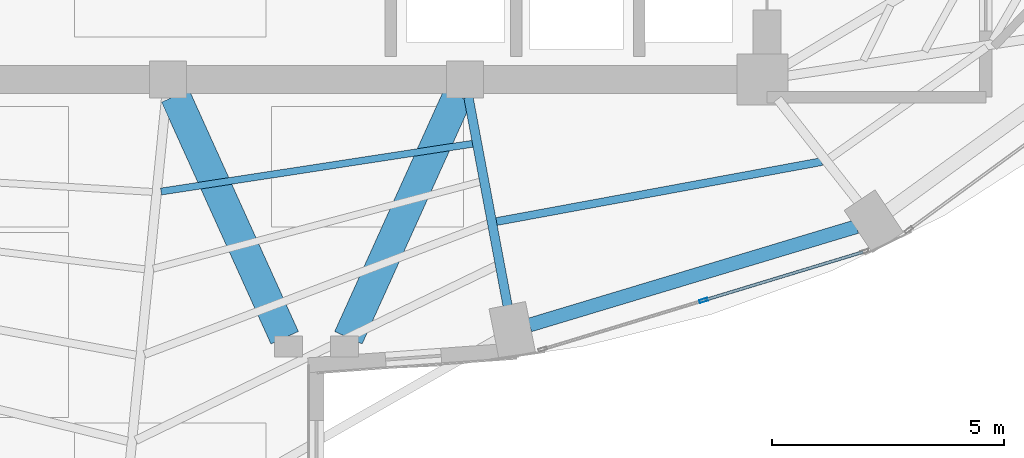
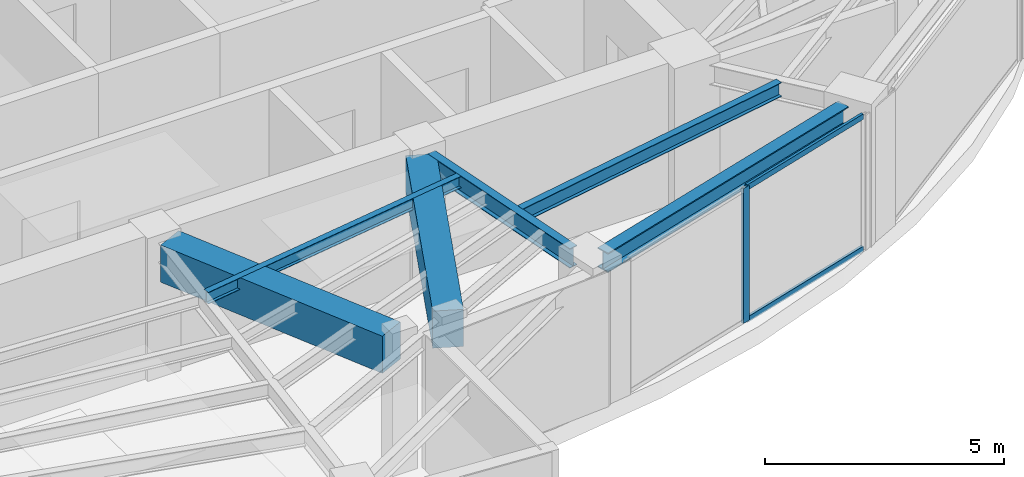
# One storey, part 7 of 23: 6 beams, 3 members, 1 element without a shape of its own.
"""IFC4 building model written with IfcOpenShell, lengths in metres."""

from ifc_helpers import new_model, si_unit, direction, frame, origin, origin_2d, place, context, subcontext, project, spatial, rectangle, hollow_rectangle, i_section, extrude, material, layer, layer_set, material_profile, profile_set, type_object, element, aggregate, save


model = new_model("IFC4")

# Units and contexts
model_context = context("Model", 3, precision=1e-05, world=origin(), true_north=direction((0.0, 1.0)))
body_context = subcontext(model_context, "Body", "Model", "MODEL_VIEW")
ifc_project = project(units=[si_unit("LENGTHUNIT", "METRE"), si_unit("AREAUNIT", "SQUARE_METRE"), si_unit("VOLUMEUNIT", "CUBIC_METRE"), si_unit("PLANEANGLEUNIT", "RADIAN"), si_unit("MASSUNIT", "GRAM", prefix="KILO")], contexts=[model_context])

# Site, building, storey
site_placement = place(None, origin())
site = spatial("IfcSite", under=ifc_project, at=site_placement, CompositionType="ELEMENT")
building_placement = place(site_placement, origin())
building = spatial("IfcBuilding", under=site, at=building_placement, Name="Lazwardi Medical Tower", CompositionType="ELEMENT")
storey_placement = place(building_placement, frame((0.0, 0.0, 194.83203125)))
storey = spatial("IfcBuildingStorey", under=building, at=storey_placement, Name="L50", CompositionType="ELEMENT", Elevation=194.83203125)

# Beams
ifc_material_1 = material(Name="Concrete C60/75", Category="concrete")
ifc_material_profile_1 = material_profile(ifc_material_1, rectangle(XDim=0.64990234375, YDim=0.949951171875, at=origin_2d()), Name="RC 650x950")
ifc_profile_set_1 = profile_set([ifc_material_profile_1], Name="Concrete C60/75")
beam_type_1 = type_object("IfcBeamType", Name="BM-CB-RC2", PredefinedType="LINTEL", material=ifc_profile_set_1)
for number, where, z_axis, x_axis, name in (
    (1, (32.95849609375, 20.04931640625, 2.972900390625), (0.412019279944, -0.911175127489, 0.0), (0.911175127489, 0.412019279944, 0.0), "Core coupling lintel CB-02 PL3 L50"),
    (2, (39.04150390625, 20.04931640625, 2.972900390625), (-0.412019279944, -0.911175127489, 0.0), (0.911175127489, -0.412019279944, 0.0), "Core coupling lintel CB-02 PL4 L50"),
):
    element("IfcBeam", number, at=place(storey_placement, frame(where, z_axis=z_axis, x_axis=x_axis)), inside=storey, type_object=beam_type_1, Name=name, PredefinedType="LINTEL", context=body_context, shape_type="SweptSolid", body=[
        extrude(rectangle(XDim=0.64990234375, YDim=0.949951171875, at=origin_2d()), origin(), (0.0, 0.0, 1.0), 5.7158203125),
    ])
ifc_material_2 = material(Name="Steel S355", Category="steel")
ifc_material_profile_2 = material_profile(ifc_material_2, i_section(OverallWidth=0.300048828125, OverallDepth=0.5, WebThickness=0.014404296875, FlangeThickness=0.028076171875, at=origin_2d()), Name="HEB 500")
ifc_profile_set_2 = profile_set([ifc_material_profile_2], Name="Steel S355")
beam_type_2 = type_object("IfcBeamType", Name="BM-RB-Z4", PredefinedType="BEAM", material=ifc_profile_set_2)
beam_1_placement = place(storey_placement, frame((40.58740234375, 15.114013671875, 3.197998046875), z_axis=(0.957544311906, 0.288286126506, 0.0), x_axis=(-0.288286126506, 0.957544311906, 0.0)))
element("IfcBeam", 3, at=beam_1_placement, inside=storey, type_object=beam_type_2, Name="Ring beam RB-05 B01 L50", PredefinedType="BEAM", context=body_context, shape_type="SweptSolid", body=[
    extrude(i_section(OverallWidth=0.300048828125, OverallDepth=0.5, WebThickness=0.014404296875, FlangeThickness=0.028076171875, at=origin_2d()), origin(), (0.0, 0.0, 1.0), 7.3515625),
])
ifc_material_profile_3 = material_profile(ifc_material_2, i_section(OverallWidth=0.199951171875, OverallDepth=0.5, WebThickness=0.01025390625, FlangeThickness=0.01611328125, at=origin_2d()), Name="IPE 500")
ifc_profile_set_3 = profile_set([ifc_material_profile_3], Name="Steel S355")
beam_type_3 = type_object("IfcBeamType", Name="BM-RG-W3", PredefinedType="BEAM", material=ifc_profile_set_3)
beam_2_placement = place(storey_placement, frame((40.115234375, 15.527587890625, 3.197998046875), z_axis=(-0.184633463507, 0.982807450192, 0.0), x_axis=(-0.982807450192, -0.184633463507, 0.0)))
element("IfcBeam", 4, at=beam_2_placement, inside=storey, type_object=beam_type_3, Name="Radial girder RG-04 R01 L50", PredefinedType="BEAM", context=body_context, shape_type="SweptSolid", body=[
    extrude(i_section(OverallWidth=0.199951171875, OverallDepth=0.5, WebThickness=0.01025390625, FlangeThickness=0.01611328125, at=origin_2d()), origin(), (0.0, 0.0, 1.0), 4.572509765625),
])
ifc_material_profile_4 = material_profile(ifc_material_2, i_section(OverallWidth=0.169921875, OverallDepth=0.360107421875, WebThickness=0.008056640625, FlangeThickness=0.0126953125, at=origin_2d()), Name="IPE 360")
ifc_profile_set_4 = profile_set([ifc_material_profile_4], Name="Steel S355")
beam_type_4 = type_object("IfcBeamType", Name="BM-SJ-02", PredefinedType="JOIST", material=ifc_profile_set_4)
beam_3_placement = place(storey_placement, frame((39.87109375, 17.34228515625, 3.26806640625), z_axis=(0.983427965623, 0.181299300688, 0.0), x_axis=(-0.181299300688, 0.983427965623, 0.0)))
element("IfcBeam", 5, at=beam_3_placement, inside=storey, type_object=beam_type_4, Name="Secondary joist SJ-02 R2 B01 L50", PredefinedType="JOIST", context=body_context, shape_type="SweptSolid", body=[
    extrude(i_section(OverallWidth=0.169921875, OverallDepth=0.360107421875, WebThickness=0.008056640625, FlangeThickness=0.0126953125, at=origin_2d()), origin(), (0.0, 0.0, 1.0), 7.127685546875),
])
ifc_material_profile_5 = material_profile(ifc_material_2, i_section(OverallWidth=0.14990234375, OverallDepth=0.300048828125, WebThickness=0.007080078125, FlangeThickness=0.0107421875, at=origin_2d()), Name="IPE 300")
ifc_profile_set_5 = profile_set([ifc_material_profile_5], Name="Steel S355")
beam_type_5 = type_object("IfcBeamType", Name="BM-SJ-03", PredefinedType="JOIST", material=ifc_profile_set_5)
beam_4_placement = place(storey_placement, frame((32.652587890625, 17.989013671875, 3.2978515625), z_axis=(0.988433562862, 0.151654514629, 0.0), x_axis=(-0.151654514629, 0.988433562862, 0.0)))
element("IfcBeam", 6, at=beam_4_placement, inside=storey, type_object=beam_type_5, Name="Secondary joist SJ-03 R4 B16 L50", PredefinedType="JOIST", context=body_context, shape_type="SweptSolid", body=[
    extrude(i_section(OverallWidth=0.14990234375, OverallDepth=0.300048828125, WebThickness=0.007080078125, FlangeThickness=0.0107421875, at=origin_2d()), origin(), (0.0, 0.0, 1.0), 6.788818359375),
])

# Curtain wall, members
ifc_material_3 = material(Name="Anodised bronze aluminium and solar control glazing", Category="aluminium")
ifc_layer = layer(ifc_material_3, 0.18994140625)
ifc_layer_set = layer_set([ifc_layer], Name="Anodised bronze aluminium and solar control glazing")
curtain_wall_type = type_object("IfcCurtainWallType", Name="CW-SYS-04", PredefinedType="NOTDEFINED", material=ifc_layer_set)
curtain_wall_placement = place(storey_placement, origin())
curtain_wall = element("IfcCurtainWall", 7, at=curtain_wall_placement, inside=storey, type_object=curtain_wall_type, Name="L50 Unitised bronze curtain wall CW-04", PredefinedType="NOTDEFINED")
ifc_material_4 = material(Name="Anodised bronze aluminium", Category="aluminium")
ifc_material_profile_6 = material_profile(ifc_material_4, hollow_rectangle(XDim=0.06494140625, YDim=0.179931640625, WallThickness=0.00390625, at=origin_2d()), Name="ALU-MULLION 180x65x4")
ifc_profile_set_6 = profile_set([ifc_material_profile_6], Name="Anodised bronze aluminium")
member_type_1 = type_object("IfcMemberType", Name="CW-MUL-03", PredefinedType="MULLION", material=ifc_profile_set_6)
member_1_placement = place(storey_placement, frame((44.33642578125, 15.644775390625, 0.0), z_axis=(0.0, 0.0, 1.0), x_axis=(-0.290581889515, 0.956850126972, 0.0)))
member_1 = element("IfcMember", 8, at=member_1_placement, type_object=member_type_1, Name="CW-04 mullion 2", PredefinedType="MULLION", context=body_context, shape_type="SweptSolid", body=[
    extrude(hollow_rectangle(XDim=0.06494140625, YDim=0.179931640625, WallThickness=0.00390625, at=origin_2d()), origin(), (0.0, 0.0, 1.0), 3.447998046875),
])
ifc_material_profile_7 = material_profile(ifc_material_4, hollow_rectangle(XDim=0.06494140625, YDim=0.139892578125, WallThickness=0.00341796875, at=origin_2d()), Name="ALU-TRANSOM 140x65x3.5")
ifc_profile_set_7 = profile_set([ifc_material_profile_7], Name="Anodised bronze aluminium")
member_type_2 = type_object("IfcMemberType", Name="CW-TRN-03", PredefinedType="USERDEFINED", material=ifc_profile_set_7)
member_2_placement = place(storey_placement, frame((44.367431640625, 15.654052734375, 0.032470703125), z_axis=(0.956843409009, 0.290604010015, 0.0), x_axis=(-0.290604010015, 0.956843409009, 0.0)))
member_2 = element("IfcMember", 9, at=member_2_placement, type_object=member_type_2, Name="CW-04 transom 2.1", ObjectType="TRANSOM", PredefinedType="USERDEFINED", context=body_context, shape_type="SweptSolid", body=[
    extrude(hollow_rectangle(XDim=0.06494140625, YDim=0.139892578125, WallThickness=0.00341796875, at=origin_2d()), origin(), (0.0, 0.0, 1.0), 3.554443359375),
])
member_3_placement = place(storey_placement, frame((44.367431640625, 15.654052734375, 3.41552734375), z_axis=(0.956843409009, 0.290604010015, 0.0), x_axis=(-0.290604010015, 0.956843409009, 0.0)))
member_3 = element("IfcMember", 10, at=member_3_placement, type_object=member_type_2, Name="CW-04 transom 2.2", ObjectType="TRANSOM", PredefinedType="USERDEFINED", context=body_context, shape_type="SweptSolid", body=[
    extrude(hollow_rectangle(XDim=0.06494140625, YDim=0.139892578125, WallThickness=0.00341796875, at=origin_2d()), origin(), (0.0, 0.0, 1.0), 3.554443359375),
])
aggregate(curtain_wall, [member_1, member_2, member_3])

save(model, "model.ifc")
